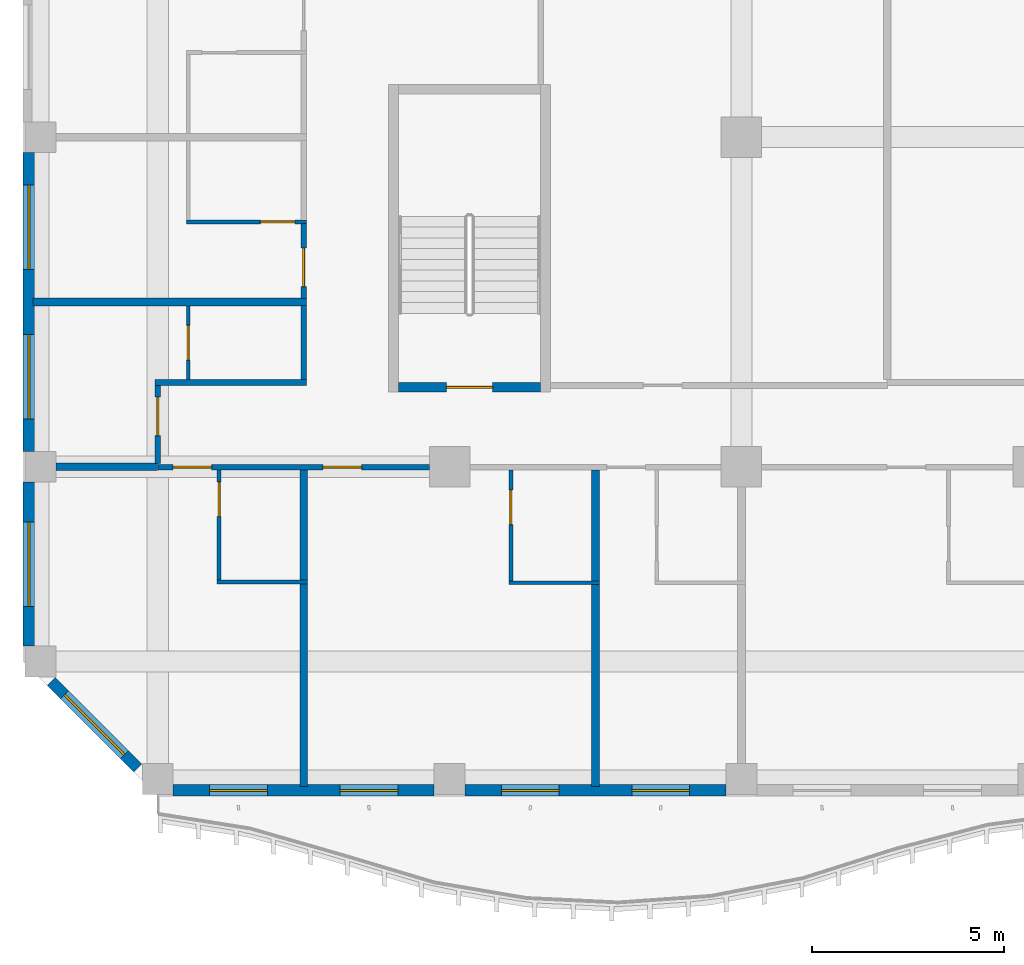
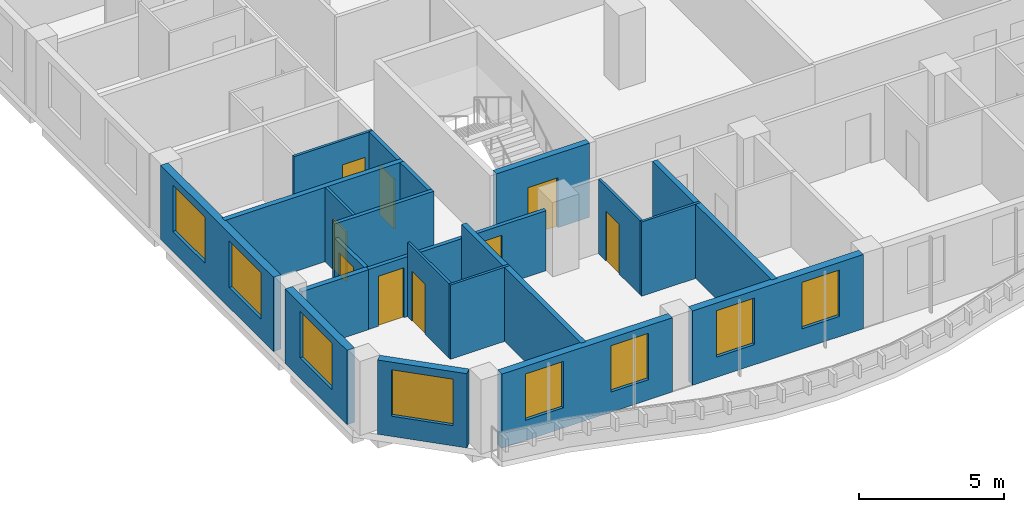
# One storey, part 2 of 21: 23 walls, 9 doors, 8 windows, 17 openings.
"""IFC4 building model written with IfcOpenShell, lengths in metres."""

from ifc_helpers import new_model, si_unit, direction, frame, frame_2d, origin, place, context, subcontext, project, spatial, rectangle, extrude, source, transform, mapped, material, layer, layer_set, type_object, element, fill, save


model = new_model("IFC4")

# Units and contexts
model_context = context("Model", 3, precision=1e-05, world=origin(), true_north=direction((0.0, 1.0)))
body_context = subcontext(model_context, "Body", "Model", "MODEL_VIEW")
ifc_project = project(units=[si_unit("LENGTHUNIT", "METRE"), si_unit("AREAUNIT", "SQUARE_METRE"), si_unit("VOLUMEUNIT", "CUBIC_METRE"), si_unit("PLANEANGLEUNIT", "RADIAN"), si_unit("MASSUNIT", "GRAM", prefix="KILO")], contexts=[model_context])

# Site, building, storey
site_placement = place(None, origin())
site = spatial("IfcSite", under=ifc_project, at=site_placement, CompositionType="ELEMENT")
building_placement = place(site_placement, origin())
building = spatial("IfcBuilding", under=site, at=building_placement, Name="Kilnfold Tower and Market Hall", CompositionType="ELEMENT")
storey_placement = place(building_placement, frame((0.0, 0.0, 185.5)))
storey = spatial("IfcBuildingStorey", under=building, at=storey_placement, Name="L44", CompositionType="ELEMENT", Elevation=185.5)

# Wall, openings, doors
ifc_material_1 = material(Name="Gypsum board on steel studs", Category="steel")
ifc_layer_1 = layer(ifc_material_1, 0.14990234375)
ifc_layer_set_1 = layer_set([ifc_layer_1], Name="Gypsum board on steel studs")
wall_type_1 = type_object("IfcWallType", Name="WALL CORRIDOR 150", PredefinedType="PARTITIONING", material=ifc_layer_set_1)
wall_1_placement = place(storey_placement, frame((-23.75, -17.699951171875, 0.0), z_axis=(0.0, 0.0, 1.0), x_axis=(1.0, 0.0, 0.0)))
wall_1 = element("IfcWall", 1, at=wall_1_placement, inside=storey, type_object=wall_type_1, Name="Partition LY27.1", PredefinedType="PARTITIONING", context=body_context, shape_type="SweptSolid", body=[
    extrude(rectangle(XDim=7.05810546875, YDim=0.14990234375, at=frame_2d((3.529052734375, 0.0))), origin(), (0.0, 0.0, 1.0), 2.52001953125),
])
opening_1_placement = place(wall_1_placement, frame((0.40087890625, 0.0, 0.0)))
opening_1 = element("IfcOpeningElement", 2, at=opening_1_placement, cuts=wall_1, Name="Opening D1", PredefinedType="OPENING", context=body_context, shape_type="SweptSolid", body=[
    extrude(rectangle(XDim=1.0, YDim=2.10009765625, at=frame_2d((0.5, 1.050048828125))), frame((0.0, 0.0849609375, 0.0), z_axis=(0.0, -1.0, 0.0), x_axis=(1.0, 0.0, 0.0)), (0.0, 0.0, 1.0), 0.169921875),
])
opening_2_placement = place(wall_1_placement, frame((4.2939453125, 0.0, 0.0)))
opening_2 = element("IfcOpeningElement", 3, at=opening_2_placement, cuts=wall_1, Name="Opening D1", PredefinedType="OPENING", context=body_context, shape_type="SweptSolid", body=[
    extrude(rectangle(XDim=1.0, YDim=2.10009765625, at=frame_2d((0.5, 1.050048828125))), frame((0.0, 0.0849609375, 0.0), z_axis=(0.0, -1.0, 0.0), x_axis=(1.0, 0.0, 0.0)), (0.0, 0.0, 1.0), 0.169921875),
])
ifc_material_2 = material(Name="Timber veneer door leaf in steel frame", Category="steel")
door_type_1 = type_object("IfcDoorType", Name="DOOR ENTRY 1000 X2100", OperationType="NOTDEFINED", PredefinedType="DOOR", material=ifc_material_2)
door_1_placement = place(opening_1_placement, origin())
door_1 = element("IfcDoor", 4, at=door_1_placement, inside=storey, type_object=door_type_1, Name="Door D1", OperationType="SINGLE_SWING_LEFT", OverallHeight=2.10009765625, OverallWidth=1.0, PredefinedType="DOOR", context=body_context, shape_type="SweptSolid", body=[
    extrude(rectangle(XDim=1.0, YDim=2.10009765625, at=frame_2d((0.5, 1.050048828125))), frame((0.0, 0.02490234375, 0.0), z_axis=(0.0, -1.0, 0.0), x_axis=(1.0, 0.0, 0.0)), (0.0, 0.0, 1.0), 0.050048828125),
])
fill(opening_1, door_1)
door_2_placement = place(opening_2_placement, origin())
door_2 = element("IfcDoor", 5, at=door_2_placement, inside=storey, type_object=door_type_1, Name="Door D1", OperationType="SINGLE_SWING_RIGHT", OverallHeight=2.10009765625, OverallWidth=1.0, PredefinedType="DOOR", context=body_context, shape_type="SweptSolid", body=[
    extrude(rectangle(XDim=1.0, YDim=2.10009765625, at=frame_2d((0.5, 1.050048828125))), frame((0.0, 0.02490234375, 0.0), z_axis=(0.0, -1.0, 0.0), x_axis=(1.0, 0.0, 0.0)), (0.0, 0.0, 1.0), 0.050048828125),
])
fill(opening_2, door_2)

# Wall, opening, door
wall_2_placement = place(storey_placement, frame((-23.75, -15.574951171875, 0.0), z_axis=(0.0, 0.0, 1.0), x_axis=(0.0, -1.0, 0.0)))
wall_2 = element("IfcWall", 6, at=wall_2_placement, inside=storey, type_object=wall_type_1, Name="Partition LY27.7", PredefinedType="PARTITIONING", context=body_context, shape_type="SweptSolid", body=[
    extrude(rectangle(XDim=2.02294921875, YDim=0.14990234375, at=frame_2d((1.011474609375, 0.0))), origin(), (0.0, 0.0, 1.0), 2.52001953125),
])
opening_3_placement = place(wall_2_placement, frame((0.303955078125, 0.0, 0.0)))
opening_3 = element("IfcOpeningElement", 7, at=opening_3_placement, cuts=wall_2, Name="Opening D1", PredefinedType="OPENING", context=body_context, shape_type="SweptSolid", body=[
    extrude(rectangle(XDim=1.0, YDim=2.10009765625, at=frame_2d((0.5, 1.050048828125))), frame((0.0, 0.0849609375, 0.0), z_axis=(0.0, -1.0, 0.0), x_axis=(1.0, 0.0, 0.0)), (0.0, 0.0, 1.0), 0.169921875),
])
door_3_placement = place(opening_3_placement, origin())
door_3 = element("IfcDoor", 8, at=door_3_placement, inside=storey, type_object=door_type_1, Name="Door D1", OperationType="SINGLE_SWING_RIGHT", OverallHeight=2.10009765625, OverallWidth=1.0, PredefinedType="DOOR", context=body_context, shape_type="SweptSolid", body=[
    extrude(rectangle(XDim=1.0, YDim=2.10009765625, at=frame_2d((0.5, 1.050048828125))), frame((0.0, 0.02490234375, 0.0), z_axis=(0.0, -1.0, 0.0), x_axis=(1.0, 0.0, 0.0)), (0.0, 0.0, 1.0), 0.050048828125),
])
fill(opening_3, door_3)

# Walls
wall_3_placement = place(storey_placement, frame((-23.824951171875, -15.5, 0.0), z_axis=(0.0, 0.0, 1.0), x_axis=(1.0, 0.0, 0.0)))
element("IfcWall", 9, at=wall_3_placement, inside=storey, type_object=wall_type_1, Name="Partition LY27.8", PredefinedType="PARTITIONING", context=body_context, shape_type="SweptSolid", body=[
    extrude(rectangle(XDim=3.94091796875, YDim=0.14990234375, at=frame_2d((1.970458984375, 0.0))), origin(), (0.0, 0.0, 1.0), 3.1201171875),
])
wall_4_placement = place(storey_placement, frame((-19.958984375, -15.425048828125, 0.0), z_axis=(0.0, 0.0, 1.0), x_axis=(0.0, 1.0, 0.0)))
element("IfcWall", 10, at=wall_4_placement, inside=storey, type_object=wall_type_1, Name="Partition LY27.9", PredefinedType="PARTITIONING", context=body_context, shape_type="SweptSolid", body=[
    extrude(rectangle(XDim=1.928955078125, YDim=0.14990234375, at=frame_2d((0.96435546875, 0.0))), origin(), (0.0, 0.0, 1.0), 3.1201171875),
])

# Wall, opening, door
wall_5_placement = place(storey_placement, frame((-19.958984375, -13.31591796875, 0.0), z_axis=(0.0, 0.0, 1.0), x_axis=(0.0, 1.0, 0.0)))
wall_5 = element("IfcWall", 11, at=wall_5_placement, inside=storey, type_object=wall_type_1, Name="Partition LY27.10", PredefinedType="PARTITIONING", context=body_context, shape_type="SweptSolid", body=[
    extrude(rectangle(XDim=1.950927734375, YDim=0.14990234375, at=frame_2d((0.9755859375, 0.0))), origin(), (0.0, 0.0, 1.0), 3.1201171875),
])
opening_4_placement = place(wall_5_placement, frame((0.31005859375, 0.0, 0.0)))
opening_4 = element("IfcOpeningElement", 12, at=opening_4_placement, cuts=wall_5, Name="Opening D1", PredefinedType="OPENING", context=body_context, shape_type="SweptSolid", body=[
    extrude(rectangle(XDim=1.0, YDim=2.10009765625, at=frame_2d((0.5, 1.050048828125))), frame((0.0, 0.0849609375, 0.0), z_axis=(0.0, -1.0, 0.0), x_axis=(1.0, 0.0, 0.0)), (0.0, 0.0, 1.0), 0.169921875),
])
door_4_placement = place(opening_4_placement, origin())
door_4 = element("IfcDoor", 13, at=door_4_placement, inside=storey, type_object=door_type_1, Name="Door D1", OperationType="SINGLE_SWING_LEFT", OverallHeight=2.10009765625, OverallWidth=1.0, PredefinedType="DOOR", context=body_context, shape_type="SweptSolid", body=[
    extrude(rectangle(XDim=1.0, YDim=2.10009765625, at=frame_2d((0.5, 1.050048828125))), frame((0.0, 0.02490234375, 0.0), z_axis=(0.0, -1.0, 0.0), x_axis=(1.0, 0.0, 0.0)), (0.0, 0.0, 1.0), 0.050048828125),
])
fill(opening_4, door_4)

ifc_material_3 = material(Name="Gypsum board on steel studs", Category="steel")
ifc_layer_2 = layer(ifc_material_3, 0.10009765625)
ifc_layer_set_2 = layer_set([ifc_layer_2], Name="Gypsum board on steel studs")
wall_type_2 = type_object("IfcWallType", Name="WALL PARTITION 100", PredefinedType="PARTITIONING", material=ifc_layer_set_2)
wall_6_placement = place(storey_placement, frame((-22.158935546875, -20.637939453125, 0.0), z_axis=(0.0, 0.0, 1.0), x_axis=(0.0, 1.0, 0.0)))
wall_6 = element("IfcWall", 14, at=wall_6_placement, inside=storey, type_object=wall_type_2, Name="Partition LY27.50", PredefinedType="PARTITIONING", context=body_context, shape_type="SweptSolid", body=[
    extrude(rectangle(XDim=2.86083984375, YDim=0.10009765625, at=frame_2d((1.430419921875, 0.0))), origin(), (0.0, 0.0, 1.0), 3.1201171875),
])
opening_5_placement = place(wall_6_placement, frame((1.656982421875, 0.0, 0.0)))
opening_5 = element("IfcOpeningElement", 15, at=opening_5_placement, cuts=wall_6, Name="Opening D3", PredefinedType="OPENING", context=body_context, shape_type="SweptSolid", body=[
    extrude(rectangle(XDim=0.89990234375, YDim=2.10009765625, at=frame_2d((0.449951171875, 1.050048828125))), frame((0.0, 0.06005859375, 0.0), z_axis=(0.0, -1.0, 0.0), x_axis=(1.0, 0.0, 0.0)), (0.0, 0.0, 1.0), 0.1201171875),
])
ifc_material_4 = material(Name="Timber veneer door leaf in steel frame", Category="steel")
door_type_2 = type_object("IfcDoorType", Name="DOOR WC 900 X2100", OperationType="NOTDEFINED", PredefinedType="DOOR", material=ifc_material_4)
door_5_placement = place(opening_5_placement, origin())
door_5 = element("IfcDoor", 16, at=door_5_placement, inside=storey, type_object=door_type_2, Name="Door D3", OperationType="SINGLE_SWING_LEFT", OverallHeight=2.10009765625, OverallWidth=0.89990234375, PredefinedType="DOOR", context=body_context, shape_type="SweptSolid", body=[
    extrude(rectangle(XDim=0.89990234375, YDim=2.10009765625, at=frame_2d((0.449951171875, 1.050048828125))), frame((0.0, 0.02490234375, 0.0), z_axis=(0.0, -1.0, 0.0), x_axis=(1.0, 0.0, 0.0)), (0.0, 0.0, 1.0), 0.050048828125),
])
fill(opening_5, door_5)

# Wall
wall_7_placement = place(storey_placement, frame((-22.208984375, -20.68798828125, 0.0), z_axis=(0.0, 0.0, 1.0), x_axis=(1.0, 0.0, 0.0)))
element("IfcWall", 17, at=wall_7_placement, inside=storey, type_object=wall_type_2, Name="Partition LY27.51", PredefinedType="PARTITIONING", context=body_context, shape_type="SweptSolid", body=[
    extrude(rectangle(XDim=2.35009765625, YDim=0.10009765625, at=frame_2d((1.175048828125, 0.0))), origin(), (0.0, 0.0, 1.0), 3.1201171875),
])

# Wall, opening, door
wall_8_placement = place(storey_placement, frame((-14.574951171875, -20.652099609375, 0.0), z_axis=(0.0, 0.0, 1.0), x_axis=(0.0, 1.0, 0.0)))
wall_8 = element("IfcWall", 18, at=wall_8_placement, inside=storey, type_object=wall_type_2, Name="Partition LY27.55", PredefinedType="PARTITIONING", context=body_context, shape_type="SweptSolid", body=[
    extrude(rectangle(XDim=2.875, YDim=0.10009765625, at=frame_2d((1.4375, 0.0))), origin(), (0.0, 0.0, 1.0), 3.1201171875),
])
opening_6_placement = place(wall_8_placement, frame((1.4599609375, 0.0, 0.0)))
opening_6 = element("IfcOpeningElement", 19, at=opening_6_placement, cuts=wall_8, Name="Opening D3", PredefinedType="OPENING", context=body_context, shape_type="SweptSolid", body=[
    extrude(rectangle(XDim=0.89990234375, YDim=2.10009765625, at=frame_2d((0.449951171875, 1.050048828125))), frame((0.0, 0.06005859375, 0.0), z_axis=(0.0, -1.0, 0.0), x_axis=(1.0, 0.0, 0.0)), (0.0, 0.0, 1.0), 0.1201171875),
])
door_6_placement = place(opening_6_placement, origin())
door_6 = element("IfcDoor", 20, at=door_6_placement, inside=storey, type_object=door_type_2, Name="Door D3", OperationType="SINGLE_SWING_LEFT", OverallHeight=2.10009765625, OverallWidth=0.89990234375, PredefinedType="DOOR", context=body_context, shape_type="SweptSolid", body=[
    extrude(rectangle(XDim=0.89990234375, YDim=2.10009765625, at=frame_2d((0.449951171875, 1.050048828125))), frame((0.0, 0.02490234375, 0.0), z_axis=(0.0, -1.0, 0.0), x_axis=(1.0, 0.0, 0.0)), (0.0, 0.0, 1.0), 0.050048828125),
])
fill(opening_6, door_6)

# Wall
wall_9_placement = place(storey_placement, frame((-14.625, -20.701904296875, 0.0), z_axis=(0.0, 0.0, 1.0), x_axis=(1.0, 0.0, 0.0)))
element("IfcWall", 21, at=wall_9_placement, inside=storey, type_object=wall_type_2, Name="Partition LY27.56", PredefinedType="PARTITIONING", context=body_context, shape_type="SweptSolid", body=[
    extrude(rectangle(XDim=2.35009765625, YDim=0.10009765625, at=frame_2d((1.175048828125, 0.0))), origin(), (0.0, 0.0, 1.0), 3.1201171875),
])

# Wall, opening, door
wall_10_placement = place(storey_placement, frame((-22.9609375, -15.423095703125, 0.0), z_axis=(0.0, 0.0, 1.0), x_axis=(0.0, 1.0, 0.0)))
wall_10 = element("IfcWall", 22, at=wall_10_placement, inside=storey, type_object=wall_type_2, Name="Partition LY27.83", PredefinedType="PARTITIONING", context=body_context, shape_type="SweptSolid", body=[
    extrude(rectangle(XDim=1.9169921875, YDim=0.10009765625, at=frame_2d((0.95849609375, 0.0))), origin(), (0.0, 0.0, 1.0), 3.1201171875),
])
opening_7_placement = place(wall_10_placement, frame((0.508056640625, 0.0, 0.0)))
opening_7 = element("IfcOpeningElement", 23, at=opening_7_placement, cuts=wall_10, Name="Opening D3", PredefinedType="OPENING", context=body_context, shape_type="SweptSolid", body=[
    extrude(rectangle(XDim=0.89990234375, YDim=2.10009765625, at=frame_2d((0.449951171875, 1.050048828125))), frame((0.0, 0.06005859375, 0.0), z_axis=(0.0, -1.0, 0.0), x_axis=(1.0, 0.0, 0.0)), (0.0, 0.0, 1.0), 0.1201171875),
])
door_7_placement = place(opening_7_placement, origin())
door_7 = element("IfcDoor", 24, at=door_7_placement, inside=storey, type_object=door_type_2, Name="Door D3", OperationType="SINGLE_SWING_RIGHT", OverallHeight=2.10009765625, OverallWidth=0.89990234375, PredefinedType="DOOR", context=body_context, shape_type="SweptSolid", body=[
    extrude(rectangle(XDim=0.89990234375, YDim=2.10009765625, at=frame_2d((0.449951171875, 1.050048828125))), frame((0.0, 0.02490234375, 0.0), z_axis=(0.0, -1.0, 0.0), x_axis=(1.0, 0.0, 0.0)), (0.0, 0.0, 1.0), 0.050048828125),
])
fill(opening_7, door_7)

wall_11_placement = place(storey_placement, frame((-19.885986328125, -11.324951171875, 0.0), z_axis=(0.0, 0.0, 1.0), x_axis=(-1.0, 0.0, 0.0)))
wall_11 = element("IfcWall", 25, at=wall_11_placement, inside=storey, type_object=wall_type_2, Name="Partition LY27.85", PredefinedType="PARTITIONING", context=body_context, shape_type="SweptSolid", body=[
    extrude(rectangle(XDim=3.125, YDim=0.10009765625, at=frame_2d((1.5625, 0.0))), origin(), (0.0, 0.0, 1.0), 3.1201171875),
])
opening_8_placement = place(wall_11_placement, frame((0.301025390625, 0.0, 0.0)))
opening_8 = element("IfcOpeningElement", 26, at=opening_8_placement, cuts=wall_11, Name="Opening D3", PredefinedType="OPENING", context=body_context, shape_type="SweptSolid", body=[
    extrude(rectangle(XDim=0.89990234375, YDim=2.10009765625, at=frame_2d((0.449951171875, 1.050048828125))), frame((0.0, 0.06005859375, 0.0), z_axis=(0.0, -1.0, 0.0), x_axis=(1.0, 0.0, 0.0)), (0.0, 0.0, 1.0), 0.1201171875),
])
door_8_placement = place(opening_8_placement, origin())
door_8 = element("IfcDoor", 27, at=door_8_placement, inside=storey, type_object=door_type_2, Name="Door D3", OperationType="SINGLE_SWING_RIGHT", OverallHeight=2.10009765625, OverallWidth=0.89990234375, PredefinedType="DOOR", context=body_context, shape_type="SweptSolid", body=[
    extrude(rectangle(XDim=0.89990234375, YDim=2.10009765625, at=frame_2d((0.449951171875, 1.050048828125))), frame((0.0, 0.02490234375, 0.0), z_axis=(0.0, -1.0, 0.0), x_axis=(1.0, 0.0, 0.0)), (0.0, 0.0, 1.0), 0.050048828125),
])
fill(opening_8, door_8)

# Walls
ifc_material_5 = material(Name="Gypsum board on steel studs", Category="steel")
ifc_layer_3 = layer(ifc_material_5, 0.199951171875)
ifc_layer_set_3 = layer_set([ifc_layer_3], Name="Gypsum board on steel studs")
wall_type_3 = type_object("IfcWallType", Name="WALL PARTY 200", PredefinedType="PARTITIONING", material=ifc_layer_set_3)
wall_12_placement = place(storey_placement, frame((-19.958984375, -26.0, 0.0), z_axis=(0.0, 0.0, 1.0), x_axis=(0.0, 1.0, 0.0)))
element("IfcWall", 28, at=wall_12_placement, inside=storey, type_object=wall_type_3, Name="Partition LY27.52", PredefinedType="PARTITIONING", context=body_context, shape_type="SweptSolid", body=[
    extrude(rectangle(XDim=5.261962890625, YDim=0.199951171875, at=frame_2d((2.630859375, 0.0))), origin(), (0.0, 0.0, 1.0), 3.1201171875),
])
wall_13_placement = place(storey_placement, frame((-26.39990234375, -17.68798828125, 0.0), z_axis=(0.0, 0.0, 1.0), x_axis=(1.0, 0.0, 0.0)))
element("IfcWall", 29, at=wall_13_placement, inside=storey, type_object=wall_type_3, Name="Partition LY27.53", PredefinedType="PARTITIONING", context=body_context, shape_type="SweptSolid", body=[
    extrude(rectangle(XDim=2.64794921875, YDim=0.199951171875, at=frame_2d((1.323974609375, 0.0))), origin(), (0.0, 0.0, 1.0), 2.52001953125),
])
wall_14_placement = place(storey_placement, frame((-19.958984375, -20.637939453125, 0.0), z_axis=(0.0, 0.0, 1.0), x_axis=(0.0, 1.0, 0.0)))
element("IfcWall", 30, at=wall_14_placement, inside=storey, type_object=wall_type_3, Name="Partition LY27.54", PredefinedType="PARTITIONING", context=body_context, shape_type="SweptSolid", body=[
    extrude(rectangle(XDim=2.86083984375, YDim=0.199951171875, at=frame_2d((1.430419921875, 0.0))), origin(), (0.0, 0.0, 1.0), 3.1201171875),
])
wall_15_placement = place(storey_placement, frame((-12.375, -26.0, 0.0), z_axis=(0.0, 0.0, 1.0), x_axis=(0.0, 1.0, 0.0)))
element("IfcWall", 31, at=wall_15_placement, inside=storey, type_object=wall_type_3, Name="Partition LY27.57", PredefinedType="PARTITIONING", context=body_context, shape_type="SweptSolid", body=[
    extrude(rectangle(XDim=5.248046875, YDim=0.199951171875, at=frame_2d((2.6240234375, 0.0))), origin(), (0.0, 0.0, 1.0), 3.1201171875),
])
wall_16_placement = place(storey_placement, frame((-12.375, -20.652099609375, 0.0), z_axis=(0.0, 0.0, 1.0), x_axis=(0.0, 1.0, 0.0)))
element("IfcWall", 32, at=wall_16_placement, inside=storey, type_object=wall_type_3, Name="Partition LY27.58", PredefinedType="PARTITIONING", context=body_context, shape_type="SweptSolid", body=[
    extrude(rectangle(XDim=2.875, YDim=0.199951171875, at=frame_2d((1.4375, 0.0))), origin(), (0.0, 0.0, 1.0), 3.1201171875),
])
wall_17_placement = place(storey_placement, frame((-27.0, -13.406005859375, 0.0), z_axis=(0.0, 0.0, 1.0), x_axis=(1.0, 0.0, 0.0)))
element("IfcWall", 33, at=wall_17_placement, inside=storey, type_object=wall_type_3, Name="Partition LY27.84", PredefinedType="PARTITIONING", context=body_context, shape_type="SweptSolid", body=[
    extrude(rectangle(XDim=7.114013671875, YDim=0.199951171875, at=frame_2d((3.55712890625, 0.0))), origin(), (0.0, 0.0, 1.0), 3.1201171875),
])

# Wall, opening, door
ifc_material_6 = material(Name="Concrete C60", Category="concrete")
ifc_layer_4 = layer(ifc_material_6, 0.25)
ifc_layer_set_4 = layer_set([ifc_layer_4], Name="Concrete C60")
wall_type_4 = type_object("IfcWallType", Name="CORE WALL 250 C60", PredefinedType="SHEAR", material=ifc_layer_set_4)
shared_shape_1 = source(origin(), body_context, "Body", "SweptSolid", [
    extrude(rectangle(XDim=3.699951171875, YDim=0.25, at=frame_2d((1.85009765625, 0.0))), origin(), (0.0, 0.0, 1.0), 3.1201171875),
])
wall_18_placement = place(storey_placement, frame((-17.5, -15.625, 0.0), z_axis=(0.0, 0.0, 1.0), x_axis=(1.0, 0.0, 0.0)))
wall_18 = element("IfcWall", 34, at=wall_18_placement, inside=storey, type_object=wall_type_4, Name="Stair enclosure ST3", PredefinedType="SHEAR", context=body_context, shape_type="MappedRepresentation", body=[
    mapped(shared_shape_1, transform((0.0, 0.0, 0.0))),
])
opening_9_placement = place(wall_18_placement, frame((1.25, 0.0, 0.0)))
opening_9 = element("IfcOpeningElement", 35, at=opening_9_placement, cuts=wall_18, Name="Opening SD1", PredefinedType="OPENING", context=body_context, shape_type="SweptSolid", body=[
    extrude(rectangle(XDim=1.199951171875, YDim=2.10009765625, at=frame_2d((0.60009765625, 1.050048828125))), frame((0.0, 0.135009765625, 0.0), z_axis=(0.0, -1.0, 0.0), x_axis=(1.0, 0.0, 0.0)), (0.0, 0.0, 1.0), 0.27001953125),
])
ifc_material_7 = material(Name="Steel door set with fire-resisting leaf", Category="steel")
door_type_3 = type_object("IfcDoorType", Name="STAIR FLOOR DOOR 1200X2100", OperationType="NOTDEFINED", PredefinedType="DOOR", material=ifc_material_7)
door_9_placement = place(opening_9_placement, origin())
door_9 = element("IfcDoor", 36, at=door_9_placement, inside=storey, type_object=door_type_3, Name="Exit stair ST3 door", OperationType="DOUBLE_DOOR_SINGLE_SWING", OverallHeight=2.10009765625, OverallWidth=1.199951171875, PredefinedType="DOOR", context=body_context, shape_type="SweptSolid", body=[
    extrude(rectangle(XDim=1.199951171875, YDim=2.10009765625, at=frame_2d((0.60009765625, 1.050048828125))), frame((0.0, 0.02490234375, 0.0), z_axis=(0.0, -1.0, 0.0), x_axis=(1.0, 0.0, 0.0)), (0.0, 0.0, 1.0), 0.050048828125),
])
fill(opening_9, door_9)

# Wall, openings, windows
ifc_material_8 = material(Name="Precast concrete C50/60", Category="concrete")
ifc_layer_5 = layer(ifc_material_8, 0.300048828125)
ifc_layer_set_5 = layer_set([ifc_layer_5], Name="Precast concrete C50/60")
wall_type_5 = type_object("IfcWallType", Name="PRECAST WALL 300", PredefinedType="SOLIDWALL", material=ifc_layer_set_5)
shared_shape_2 = source(origin(), body_context, "Body", "SweptSolid", [
    extrude(rectangle(XDim=6.783447265625, YDim=0.300048828125, at=frame_2d((3.3916015625, 0.0))), origin(), (0.0, 0.0, 1.0), 3.1201171875),
])
wall_19_placement = place(storey_placement, frame((-23.35009765625, -26.10009765625, 0.0), z_axis=(0.0, 0.0, 1.0), x_axis=(1.0, 0.0, 0.0)))
wall_19 = element("IfcWall", 37, at=wall_19_placement, inside=storey, type_object=wall_type_5, Name="External wall L44 S", PredefinedType="SOLIDWALL", context=body_context, shape_type="MappedRepresentation", body=[
    mapped(shared_shape_2, transform((0.0, 0.0, 0.0))),
])
opening_10_placement = place(wall_19_placement, frame((0.94580078125, 0.0, 0.85009765625)))
opening_10 = element("IfcOpeningElement", 38, at=opening_10_placement, cuts=wall_19, Name="Opening W4", PredefinedType="OPENING", context=body_context, shape_type="SweptSolid", body=[
    extrude(rectangle(XDim=1.5, YDim=1.949951171875, at=frame_2d((0.75, 0.97509765625))), frame((0.0, 0.16015625, 0.0), z_axis=(0.0, -1.0, 0.0), x_axis=(1.0, 0.0, 0.0)), (0.0, 0.0, 1.0), 0.320068359375),
])
opening_11_placement = place(wall_19_placement, frame((4.33740234375, 0.0, 0.85009765625)))
opening_11 = element("IfcOpeningElement", 39, at=opening_11_placement, cuts=wall_19, Name="Opening W4", PredefinedType="OPENING", context=body_context, shape_type="SweptSolid", body=[
    extrude(rectangle(XDim=1.5, YDim=1.949951171875, at=frame_2d((0.75, 0.97509765625))), frame((0.0, 0.16015625, 0.0), z_axis=(0.0, -1.0, 0.0), x_axis=(1.0, 0.0, 0.0)), (0.0, 0.0, 1.0), 0.320068359375),
])
ifc_material_9 = material(Name="Aluminium frame and double glazing", Category="aluminium")
window_type_1 = type_object("IfcWindowType", Name="WINDOW W4 1500X1950", PartitioningType="SINGLE_PANEL", PredefinedType="WINDOW", material=ifc_material_9)
window_1_placement = place(opening_10_placement, origin())
window_1 = element("IfcWindow", 40, at=window_1_placement, inside=storey, type_object=window_type_1, Name="Window W4 L44 S-1", OverallHeight=1.949951171875, OverallWidth=1.5, PartitioningType="SINGLE_PANEL", PredefinedType="WINDOW", context=body_context, shape_type="SweptSolid", body=[
    extrude(rectangle(XDim=1.5, YDim=1.949951171875, at=frame_2d((0.75, 0.97509765625))), frame((0.0, 0.030029296875, 0.0), z_axis=(0.0, -1.0, 0.0), x_axis=(1.0, 0.0, 0.0)), (0.0, 0.0, 1.0), 0.06005859375),
])
fill(opening_10, window_1)
window_2_placement = place(opening_11_placement, origin())
window_2 = element("IfcWindow", 41, at=window_2_placement, inside=storey, type_object=window_type_1, Name="Window W4 L44 S-2", OverallHeight=1.949951171875, OverallWidth=1.5, PartitioningType="SINGLE_PANEL", PredefinedType="WINDOW", context=body_context, shape_type="SweptSolid", body=[
    extrude(rectangle(XDim=1.5, YDim=1.949951171875, at=frame_2d((0.75, 0.97509765625))), frame((0.0, 0.030029296875, 0.0), z_axis=(0.0, -1.0, 0.0), x_axis=(1.0, 0.0, 0.0)), (0.0, 0.0, 1.0), 0.06005859375),
])
fill(opening_11, window_2)

shared_shape_3 = source(origin(), body_context, "Body", "SweptSolid", [
    extrude(rectangle(XDim=6.783203125, YDim=0.300048828125, at=frame_2d((3.3916015625, 0.0))), origin(), (0.0, 0.0, 1.0), 3.1201171875),
])
wall_20_placement = place(storey_placement, frame((-15.7666015625, -26.10009765625, 0.0), z_axis=(0.0, 0.0, 1.0), x_axis=(1.0, 0.0, 0.0)))
wall_20 = element("IfcWall", 42, at=wall_20_placement, inside=storey, type_object=wall_type_5, Name="External wall L44 S", PredefinedType="SOLIDWALL", context=body_context, shape_type="MappedRepresentation", body=[
    mapped(shared_shape_3, transform((0.0, 0.0, 0.0))),
])
opening_12_placement = place(wall_20_placement, frame((0.94580078125, 0.0, 0.85009765625)))
opening_12 = element("IfcOpeningElement", 43, at=opening_12_placement, cuts=wall_20, Name="Opening W4", PredefinedType="OPENING", context=body_context, shape_type="SweptSolid", body=[
    extrude(rectangle(XDim=1.5, YDim=1.949951171875, at=frame_2d((0.75, 0.97509765625))), frame((0.0, 0.16015625, 0.0), z_axis=(0.0, -1.0, 0.0), x_axis=(1.0, 0.0, 0.0)), (0.0, 0.0, 1.0), 0.320068359375),
])
opening_13_placement = place(wall_20_placement, frame((4.337646484375, 0.0, 0.85009765625)))
opening_13 = element("IfcOpeningElement", 44, at=opening_13_placement, cuts=wall_20, Name="Opening W4", PredefinedType="OPENING", context=body_context, shape_type="SweptSolid", body=[
    extrude(rectangle(XDim=1.5, YDim=1.949951171875, at=frame_2d((0.75, 0.97509765625))), frame((0.0, 0.16015625, 0.0), z_axis=(0.0, -1.0, 0.0), x_axis=(1.0, 0.0, 0.0)), (0.0, 0.0, 1.0), 0.320068359375),
])
window_3_placement = place(opening_12_placement, origin())
window_3 = element("IfcWindow", 45, at=window_3_placement, inside=storey, type_object=window_type_1, Name="Window W4 L44 S-1", OverallHeight=1.949951171875, OverallWidth=1.5, PartitioningType="SINGLE_PANEL", PredefinedType="WINDOW", context=body_context, shape_type="SweptSolid", body=[
    extrude(rectangle(XDim=1.5, YDim=1.949951171875, at=frame_2d((0.75, 0.97509765625))), frame((0.0, 0.030029296875, 0.0), z_axis=(0.0, -1.0, 0.0), x_axis=(1.0, 0.0, 0.0)), (0.0, 0.0, 1.0), 0.06005859375),
])
fill(opening_12, window_3)
window_4_placement = place(opening_13_placement, origin())
window_4 = element("IfcWindow", 46, at=window_4_placement, inside=storey, type_object=window_type_1, Name="Window W4 L44 S-2", OverallHeight=1.949951171875, OverallWidth=1.5, PartitioningType="SINGLE_PANEL", PredefinedType="WINDOW", context=body_context, shape_type="SweptSolid", body=[
    extrude(rectangle(XDim=1.5, YDim=1.949951171875, at=frame_2d((0.75, 0.97509765625))), frame((0.0, 0.030029296875, 0.0), z_axis=(0.0, -1.0, 0.0), x_axis=(1.0, 0.0, 0.0)), (0.0, 0.0, 1.0), 0.06005859375),
])
fill(opening_13, window_4)

# Wall, opening, window
shared_shape_4 = source(origin(), body_context, "Body", "SweptSolid", [
    extrude(rectangle(XDim=3.18212890625, YDim=0.300048828125, at=frame_2d((1.591064453125, 0.0))), origin(), (0.0, 0.0, 1.0), 3.1201171875),
])
wall_21_placement = place(storey_placement, frame((-26.518798828125, -23.268798828125, 0.0), z_axis=(0.0, 0.0, 1.0), x_axis=(0.707068419229, -0.707145141063, 0.0)))
wall_21 = element("IfcWall", 47, at=wall_21_placement, inside=storey, type_object=wall_type_5, Name="External wall L44 SW", PredefinedType="SOLIDWALL", context=body_context, shape_type="MappedRepresentation", body=[
    mapped(shared_shape_4, transform((0.0, 0.0, 0.0))),
])
opening_14_placement = place(wall_21_placement, frame((0.490966796875, 0.0, 0.85009765625)))
opening_14 = element("IfcOpeningElement", 48, at=opening_14_placement, cuts=wall_21, Name="Opening W2", PredefinedType="OPENING", context=body_context, shape_type="SweptSolid", body=[
    extrude(rectangle(XDim=2.199951171875, YDim=1.949951171875, at=frame_2d((1.10009765625, 0.97509765625))), frame((0.0, 0.16015625, 0.0), z_axis=(0.0, -1.0, 0.0), x_axis=(1.0, 0.0, 0.0)), (0.0, 0.0, 1.0), 0.320068359375),
])
ifc_material_10 = material(Name="Aluminium frame and double glazing", Category="aluminium")
window_type_2 = type_object("IfcWindowType", Name="WINDOW W2 2200X1950", PartitioningType="SINGLE_PANEL", PredefinedType="WINDOW", material=ifc_material_10)
window_5_placement = place(opening_14_placement, origin())
window_5 = element("IfcWindow", 49, at=window_5_placement, inside=storey, type_object=window_type_2, Name="Window W2 L44 SW-1", OverallHeight=1.949951171875, OverallWidth=2.199951171875, PartitioningType="SINGLE_PANEL", PredefinedType="WINDOW", context=body_context, shape_type="SweptSolid", body=[
    extrude(rectangle(XDim=2.199951171875, YDim=1.949951171875, at=frame_2d((1.10009765625, 0.97509765625))), frame((0.0, 0.030029296875, 0.0), z_axis=(0.0, -1.0, 0.0), x_axis=(1.0, 0.0, 0.0)), (0.0, 0.0, 1.0), 0.06005859375),
])
fill(opening_14, window_5)

# Wall, openings, windows
shared_shape_5 = source(origin(), body_context, "Body", "SweptSolid", [
    extrude(rectangle(XDim=7.7626953125, YDim=0.300048828125, at=frame_2d((3.88134765625, 0.0))), origin(), (0.0, 0.0, 1.0), 3.1201171875),
])
wall_22_placement = place(storey_placement, frame((-27.10009765625, -9.52490234375, 0.0), z_axis=(0.0, 0.0, 1.0), x_axis=(0.0, -1.0, 0.0)))
wall_22 = element("IfcWall", 50, at=wall_22_placement, inside=storey, type_object=wall_type_5, Name="External wall L44 W", PredefinedType="SOLIDWALL", context=body_context, shape_type="MappedRepresentation", body=[
    mapped(shared_shape_5, transform((0.0, 0.0, 0.0))),
])
opening_15_placement = place(wall_22_placement, frame((0.840576171875, 0.0, 0.85009765625)))
opening_15 = element("IfcOpeningElement", 51, at=opening_15_placement, cuts=wall_22, Name="Opening W2", PredefinedType="OPENING", context=body_context, shape_type="SweptSolid", body=[
    extrude(rectangle(XDim=2.199951171875, YDim=1.949951171875, at=frame_2d((1.10009765625, 0.97509765625))), frame((0.0, 0.16015625, 0.0), z_axis=(0.0, -1.0, 0.0), x_axis=(1.0, 0.0, 0.0)), (0.0, 0.0, 1.0), 0.320068359375),
])
opening_16_placement = place(wall_22_placement, frame((4.721923828125, 0.0, 0.85009765625)))
opening_16 = element("IfcOpeningElement", 52, at=opening_16_placement, cuts=wall_22, Name="Opening W2", PredefinedType="OPENING", context=body_context, shape_type="SweptSolid", body=[
    extrude(rectangle(XDim=2.199951171875, YDim=1.949951171875, at=frame_2d((1.10009765625, 0.97509765625))), frame((0.0, 0.16015625, 0.0), z_axis=(0.0, -1.0, 0.0), x_axis=(1.0, 0.0, 0.0)), (0.0, 0.0, 1.0), 0.320068359375),
])
window_6_placement = place(opening_15_placement, origin())
window_6 = element("IfcWindow", 53, at=window_6_placement, inside=storey, type_object=window_type_2, Name="Window W2 L44 W-1", OverallHeight=1.949951171875, OverallWidth=2.199951171875, PartitioningType="SINGLE_PANEL", PredefinedType="WINDOW", context=body_context, shape_type="SweptSolid", body=[
    extrude(rectangle(XDim=2.199951171875, YDim=1.949951171875, at=frame_2d((1.10009765625, 0.97509765625))), frame((0.0, 0.030029296875, 0.0), z_axis=(0.0, -1.0, 0.0), x_axis=(1.0, 0.0, 0.0)), (0.0, 0.0, 1.0), 0.06005859375),
])
fill(opening_15, window_6)
window_7_placement = place(opening_16_placement, origin())
window_7 = element("IfcWindow", 54, at=window_7_placement, inside=storey, type_object=window_type_2, Name="Window W2 L44 W-2", OverallHeight=1.949951171875, OverallWidth=2.199951171875, PartitioningType="SINGLE_PANEL", PredefinedType="WINDOW", context=body_context, shape_type="SweptSolid", body=[
    extrude(rectangle(XDim=2.199951171875, YDim=1.949951171875, at=frame_2d((1.10009765625, 0.97509765625))), frame((0.0, 0.030029296875, 0.0), z_axis=(0.0, -1.0, 0.0), x_axis=(1.0, 0.0, 0.0)), (0.0, 0.0, 1.0), 0.06005859375),
])
fill(opening_16, window_7)

# Wall, opening, window
shared_shape_6 = source(origin(), body_context, "Body", "SweptSolid", [
    extrude(rectangle(XDim=4.2626953125, YDim=0.300048828125, at=frame_2d((2.13134765625, 0.0))), origin(), (0.0, 0.0, 1.0), 3.1201171875),
])
wall_23_placement = place(storey_placement, frame((-27.10009765625, -18.08740234375, 0.0), z_axis=(0.0, 0.0, 1.0), x_axis=(0.0, -1.0, 0.0)))
wall_23 = element("IfcWall", 55, at=wall_23_placement, inside=storey, type_object=wall_type_5, Name="External wall L44 W", PredefinedType="SOLIDWALL", context=body_context, shape_type="MappedRepresentation", body=[
    mapped(shared_shape_6, transform((0.0, 0.0, 0.0))),
])
opening_17_placement = place(wall_23_placement, frame((1.03125, 0.0, 0.85009765625)))
opening_17 = element("IfcOpeningElement", 56, at=opening_17_placement, cuts=wall_23, Name="Opening W2", PredefinedType="OPENING", context=body_context, shape_type="SweptSolid", body=[
    extrude(rectangle(XDim=2.199951171875, YDim=1.949951171875, at=frame_2d((1.10009765625, 0.97509765625))), frame((0.0, 0.16015625, 0.0), z_axis=(0.0, -1.0, 0.0), x_axis=(1.0, 0.0, 0.0)), (0.0, 0.0, 1.0), 0.320068359375),
])
window_8_placement = place(opening_17_placement, origin())
window_8 = element("IfcWindow", 57, at=window_8_placement, inside=storey, type_object=window_type_2, Name="Window W2 L44 W-1", OverallHeight=1.949951171875, OverallWidth=2.199951171875, PartitioningType="SINGLE_PANEL", PredefinedType="WINDOW", context=body_context, shape_type="SweptSolid", body=[
    extrude(rectangle(XDim=2.199951171875, YDim=1.949951171875, at=frame_2d((1.10009765625, 0.97509765625))), frame((0.0, 0.030029296875, 0.0), z_axis=(0.0, -1.0, 0.0), x_axis=(1.0, 0.0, 0.0)), (0.0, 0.0, 1.0), 0.06005859375),
])
fill(opening_17, window_8)

save(model, "model.ifc")
